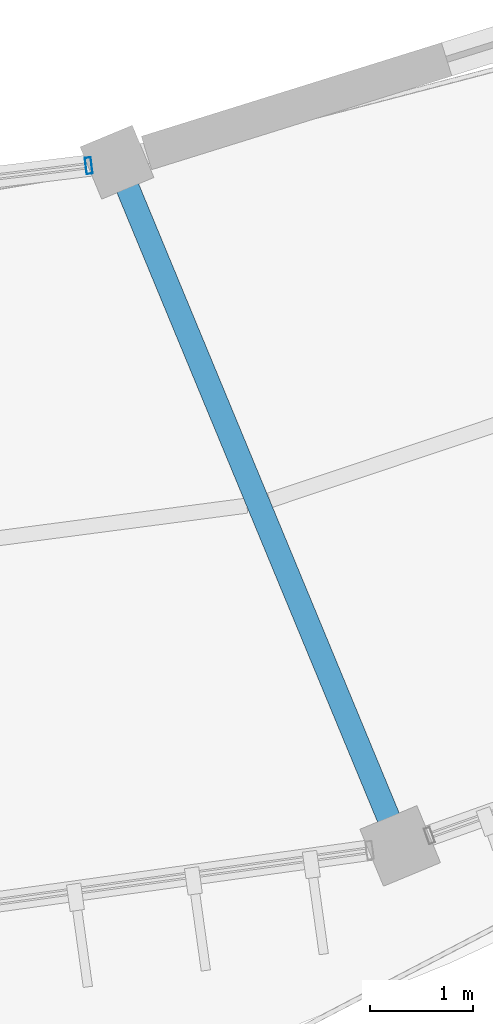
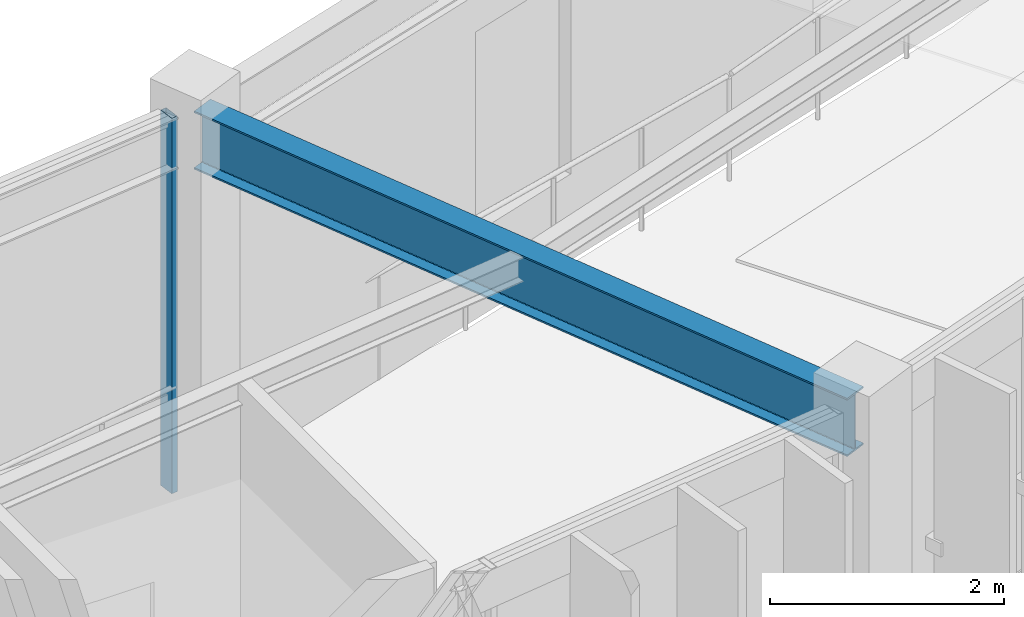
# One storey, part 32 of 83: 1 beam, 1 member, 1 element without a shape of its own.
"""IFC4 building model written with IfcOpenShell, lengths in metres."""

from ifc_helpers import new_model, si_unit, direction, frame, origin, origin_2d, place, context, subcontext, project, spatial, hollow_rectangle, i_section, extrude, material, material_profile, profile_set, type_object, element, aggregate, save


model = new_model("IFC4")

# Units and contexts
model_context = context("Model", 3, precision=1e-05, world=origin(), true_north=direction((0.0, 1.0)))
body_context = subcontext(model_context, "Body", "Model", "MODEL_VIEW")
ifc_project = project(units=[si_unit("LENGTHUNIT", "METRE"), si_unit("AREAUNIT", "SQUARE_METRE"), si_unit("VOLUMEUNIT", "CUBIC_METRE"), si_unit("PLANEANGLEUNIT", "RADIAN"), si_unit("MASSUNIT", "GRAM", prefix="KILO"), si_unit("THERMODYNAMICTEMPERATUREUNIT", "KELVIN"), si_unit("POWERUNIT", "WATT")], contexts=[model_context])

# Site, building, storey
site_placement = place(None, origin())
site = spatial("IfcSite", under=ifc_project, at=site_placement, CompositionType="ELEMENT")
building_placement = place(site_placement, origin())
building = spatial("IfcBuilding", under=site, at=building_placement, Name="Darbajah Civic Hall", CompositionType="ELEMENT")
storey_placement = place(building_placement, frame((0.0, 0.0, 18.0)))
storey = spatial("IfcBuildingStorey", under=building, at=storey_placement, Name="L04", CompositionType="ELEMENT", Elevation=18.0)

# Curtain wall, member
ifc_material_1 = material(Name="Anodised Bronze Aluminium and Low-E Glazing", Category="aluminium")
curtain_wall_type = type_object("IfcCurtainWallType", Name="Unitised Curtain Wall CW-73 12900x3900", PredefinedType="USERDEFINED", material=ifc_material_1)
curtain_wall_placement = place(storey_placement, origin())
curtain_wall = element("IfcCurtainWall", 1, at=curtain_wall_placement, inside=storey, type_object=curtain_wall_type, Name="L04 unitised curtain wall CW-V1I-L04-15", ObjectType="UNITISED CURTAIN WALL", PredefinedType="USERDEFINED")
ifc_material_2 = material(Name="Anodised Bronze Aluminium", Category="aluminium")
ifc_material_profile_1 = material_profile(ifc_material_2, hollow_rectangle(XDim=0.06005859375, YDim=0.159912109375, WallThickness=0.00341796875, at=origin_2d()), Name="ALU MULLION 60x160")
ifc_profile_set_1 = profile_set([ifc_material_profile_1], Name="Anodised Bronze Aluminium")
member_type = type_object("IfcMemberType", Name="ALU MULLION 60x160", PredefinedType="MULLION", material=ifc_profile_set_1)
member_placement = place(storey_placement, frame((105.58642578125, 69.163818359375, 0.0), z_axis=(0.0, 0.0, 1.0), x_axis=(0.992609826221, 0.121349630774, 0.0)))
member = element("IfcMember", 2, at=member_placement, type_object=member_type, Name="CW-V1I-L04-15 mullion 4", PredefinedType="MULLION", context=body_context, shape_type="SweptSolid", body=[
    extrude(hollow_rectangle(XDim=0.06005859375, YDim=0.159912109375, WallThickness=0.00341796875, at=origin_2d()), origin(), (0.0, 0.0, 1.0), 3.919921875),
])
aggregate(curtain_wall, [member])

# Beam
ifc_material_3 = material(Name="Steel S355JR", Category="steel")
ifc_material_profile_2 = material_profile(ifc_material_3, i_section(OverallWidth=0.228271484375, OverallDepth=0.607666015625, WebThickness=0.010986328125, FlangeThickness=0.017333984375, FilletRadius=0.0126953125, at=origin_2d()), Name="UB 610x229x113")
ifc_profile_set_2 = profile_set([ifc_material_profile_2], Name="Steel S355JR")
beam_type = type_object("IfcBeamType", Name="UB 610x229x113", PredefinedType="BEAM", material=ifc_profile_set_2)
beam_placement = place(storey_placement, frame((105.89208984375, 69.12353515625, 3.6162109375), z_axis=(0.382681552297, -0.923880311259, 0.0), x_axis=(0.923880311259, 0.382681552297, 0.0)))
element("IfcBeam", 3, at=beam_placement, inside=storey, type_object=beam_type, Name="L04 beam SB-610", PredefinedType="BEAM", context=body_context, shape_type="SweptSolid", body=[
    extrude(i_section(OverallWidth=0.228271484375, OverallDepth=0.607666015625, WebThickness=0.010986328125, FlangeThickness=0.017333984375, FilletRadius=0.0126953125, at=origin_2d()), origin(), (0.0, 0.0, 1.0), 7.0400390625),
])

save(model, "model.ifc")
